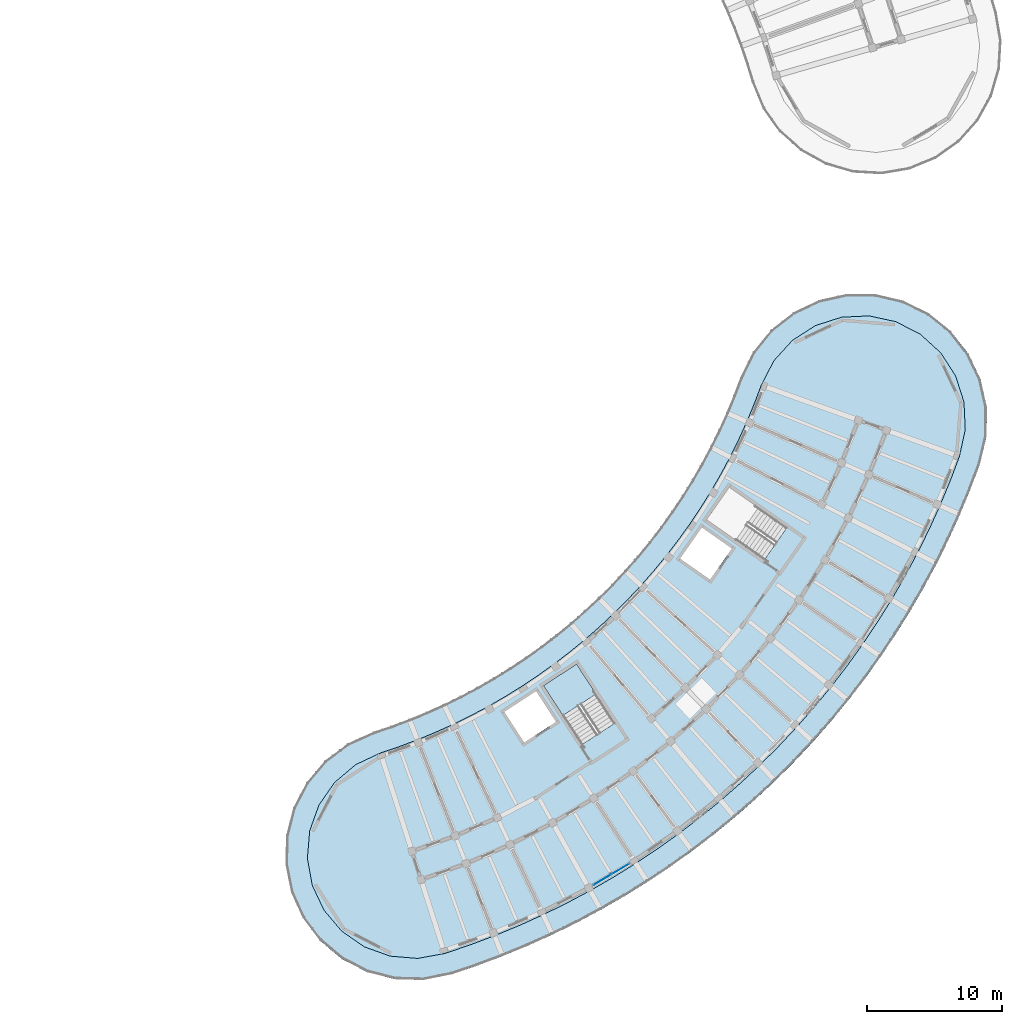
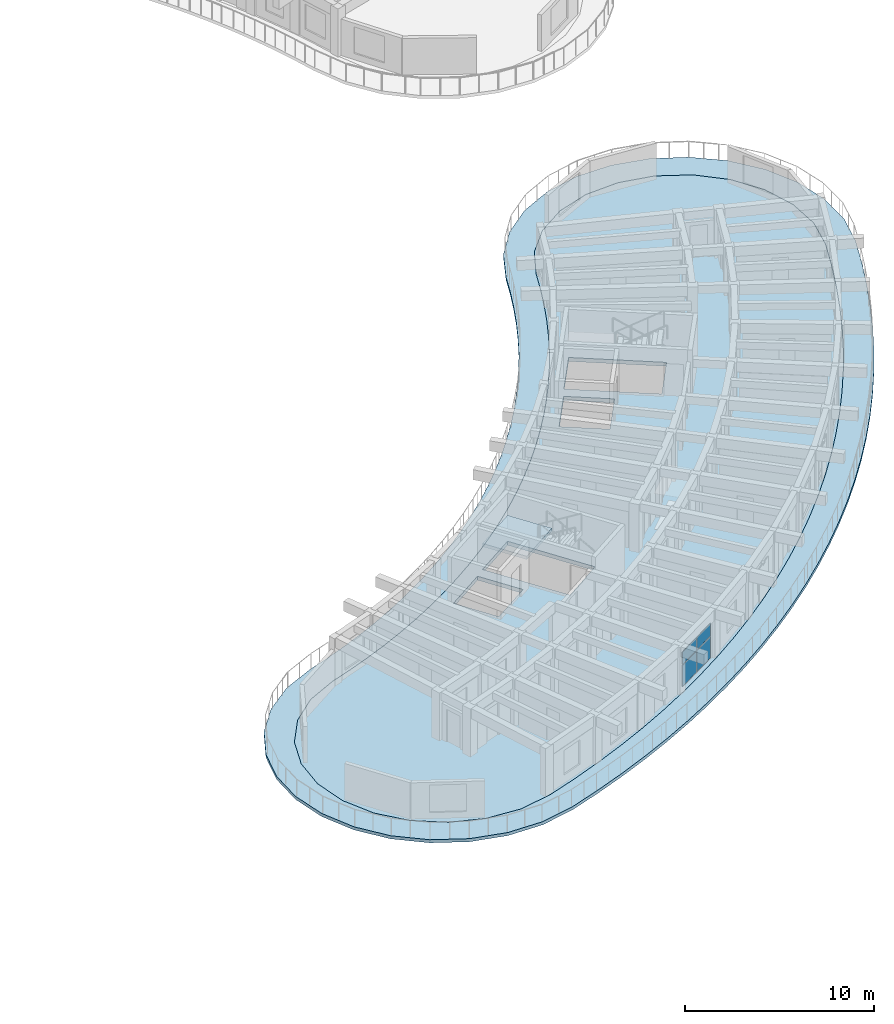
# One storey, part 33 of 78: 4 plates, 3 slabs, 2 elements without a shape of their own.
"""IFC4 building model written with IfcOpenShell, lengths in metres."""

import ifcopenshell
import ifcopenshell.guid

model = None  # the IFC model being written
_history = None  # IfcOwnerHistory: only IFC2X3 demands one
_inside = {}  # id of a spatial element -> (the spatial element, [elements in it])
_under = {}  # id of a project, library or spatial element -> (it, [spatial elements below it])
_declared = {}  # id of a project -> (the project, [libraries it declares])
_typed = {}  # id of a type object -> (the type object, [elements of that type])
_made_of = {}  # id of a material, layer set ... -> (it, [elements and type objects made of it])


def new_model(schema):
    """Start an empty IFC model of exactly this schema.

    Asked for "IFC4X3", IfcOpenShell would pick the latest addendum, in which some entities
    have other attributes; the version numbers below select the first issue.
    IFC2X3 requires an IfcOwnerHistory on every rooted entity: one is made here for all.
    """
    global model, _history
    if schema == "IFC4X3":
        model = ifcopenshell.file(schema_version=(4, 3, 0, 0))
    else:
        model = ifcopenshell.file(schema=schema)
    _inside.clear()
    _under.clear()
    _declared.clear()
    _typed.clear()
    _made_of.clear()
    _history = None
    if model.schema == "IFC2X3":
        org = make("IfcOrganization", Name="unknown")
        user = make(
            "IfcPersonAndOrganization",
            ThePerson=make("IfcPerson", FamilyName="unknown"),
            TheOrganization=org,
        )
        app = make(
            "IfcApplication",
            ApplicationDeveloper=org,
            Version="unknown",
            ApplicationFullName="unknown",
            ApplicationIdentifier="unknown",
        )
        _history = make(
            "IfcOwnerHistory",
            OwningUser=user,
            OwningApplication=app,
            ChangeAction="ADDED",
            CreationDate=0,
        )
    return model


def make(cls, **values):
    """One entity of the class cls with the attributes given. An attribute that is None is left unset."""
    return model.create_entity(
        cls, **{name: value for name, value in values.items() if value is not None}
    )


def rooted(cls, **values):
    """An entity with a GlobalId (a new one), such as an element, a storey or a relation."""
    return make(cls, GlobalId=ifcopenshell.guid.new(), OwnerHistory=_history, **values)


def si_unit(unit_type, name, prefix=None):
    """IfcSIUnit, for example si_unit("LENGTHUNIT", "METRE", prefix="MILLI")."""
    return make("IfcSIUnit", UnitType=unit_type, Prefix=prefix, Name=name)


def assignment(units):
    """IfcUnitAssignment: the units of a project."""
    return None if units is None else make("IfcUnitAssignment", Units=units)


def point(xyz):
    """IfcCartesianPoint."""
    return None if xyz is None else make("IfcCartesianPoint", Coordinates=xyz)


def direction(xyz):
    """IfcDirection."""
    return None if xyz is None else make("IfcDirection", DirectionRatios=xyz)


def frame(location, z_axis=None, x_axis=None):
    """IfcAxis2Placement3D, a coordinate frame: its origin and axes. An axis left out is left unset."""
    return make(
        "IfcAxis2Placement3D",
        Location=point(location),
        Axis=direction(z_axis),
        RefDirection=direction(x_axis),
    )


def frame_2d(location, x_axis=None):
    """IfcAxis2Placement2D, a coordinate frame in the plane: its origin and x axis."""
    return make(
        "IfcAxis2Placement2D", Location=point(location), RefDirection=direction(x_axis)
    )


def origin():
    """The frame at (0, 0, 0) with its axes left unset."""
    return frame((0.0, 0.0, 0.0))


def origin_2d():
    """The frame at (0, 0) in the plane with its x axis left unset."""
    return frame_2d((0.0, 0.0))


def place(relative_to, where):
    """IfcLocalPlacement: puts the frame where relative to a parent placement (None: the world)."""
    return make(
        "IfcLocalPlacement", PlacementRelTo=relative_to, RelativePlacement=where
    )


def context(
    kind, dimensions, precision=None, world=None, true_north=None, identifier=None
):
    """IfcGeometricRepresentationContext, for example the 3D "Model" context."""
    return make(
        "IfcGeometricRepresentationContext",
        ContextIdentifier=identifier,
        ContextType=kind,
        CoordinateSpaceDimension=dimensions,
        Precision=precision,
        WorldCoordinateSystem=world,
        TrueNorth=true_north,
    )


def subcontext(parent, identifier, kind, view, scale=None):
    """IfcGeometricRepresentationSubContext, for example "Body" below "Model"."""
    return make(
        "IfcGeometricRepresentationSubContext",
        ContextIdentifier=identifier,
        ContextType=kind,
        ParentContext=parent,
        TargetScale=scale,
        TargetView=view,
    )


def project(units=None, contexts=None):
    """IfcProject with its units and contexts."""
    return rooted(
        "IfcProject",
        Name="project",
        RepresentationContexts=contexts,
        UnitsInContext=assignment(units),
    )


def spatial(cls, under=None, at=None, **own):
    """A site, building, storey or space (cls), placed at a placement, below another one or the project."""
    s = rooted(cls, ObjectPlacement=at, **own)
    if under is not None:
        _under.setdefault(under.id(), (under, []))[1].append(s)
    return s


def polyline(points):
    """IfcPolyline through the points."""
    return make("IfcPolyline", Points=[point(p) for p in points])


def profile(cls, at=None, kind="AREA", **sizes):
    """A parametric profile (cls). Its sizes go by their IFC names, for example OverallWidth=200.0."""
    return make(cls, ProfileType=kind, Position=at, **sizes)


def rectangle(**sizes):
    """IfcRectangleProfileDef."""
    return profile("IfcRectangleProfileDef", **sizes)


def outline(outer, holes=None, kind="AREA"):
    """IfcArbitraryClosedProfileDef: a profile drawn as a closed curve; with holes, ...WithVoids."""
    if holes is None:
        return make("IfcArbitraryClosedProfileDef", ProfileType=kind, OuterCurve=outer)
    return make(
        "IfcArbitraryProfileDefWithVoids",
        ProfileType=kind,
        OuterCurve=outer,
        InnerCurves=holes,
    )


def extrude(swept, where, along, depth):
    """IfcExtrudedAreaSolid: the profile swept, set in the frame where, extruded along a direction by depth."""
    return make(
        "IfcExtrudedAreaSolid",
        SweptArea=swept,
        Position=where,
        ExtrudedDirection=direction(along),
        Depth=depth,
    )


def shape(context_of_items, identifier, shape_type, items):
    """IfcShapeRepresentation: the items that make up one representation, for example the "Body"."""
    return make(
        "IfcShapeRepresentation",
        ContextOfItems=context_of_items,
        RepresentationIdentifier=identifier,
        RepresentationType=shape_type,
        Items=items,
    )


def material(Name=None, Category=None):
    """IfcMaterial."""
    return make("IfcMaterial", Name=Name, Category=Category)


def layer(
    of_material, thickness, ventilated=None, Name=None, Category=None, Priority=None
):
    """IfcMaterialLayer: one layer of a wall or slab, of a material (None: an air gap)."""
    return make(
        "IfcMaterialLayer",
        Material=of_material,
        LayerThickness=thickness,
        IsVentilated=ventilated,
        Name=Name,
        Category=Category,
        Priority=Priority,
    )


def layer_set(layers, Name=None):
    """IfcMaterialLayerSet."""
    return make("IfcMaterialLayerSet", MaterialLayers=layers, LayerSetName=Name)


def made_of(thing, what):
    """Note that an element or type object is made of a material, layer set ...; save() writes the relation."""
    if what is not None:
        _made_of.setdefault(what.id(), (what, []))[1].append(thing)
    return thing


def type_object(cls, material=None, **own):
    """A type object (cls), such as IfcWallType, which elements share."""
    return made_of(rooted(cls, **own), material)


def element(
    cls,
    number,
    at=None,
    inside=None,
    cuts=None,
    type_object=None,
    material=None,
    context=None,
    identifier="Body",
    shape_type=None,
    held_by="IfcProductDefinitionShape",
    body=None,
    shapes=None,
    **own,
):
    """One element of the class cls, such as IfcWall. Its Tag is "e" and its number.

    at: its placement. inside: the storey or other place that contains it. cuts: it is an
    opening in that element (IfcRelVoidsElement). A single representation is given by context,
    identifier, shape_type and body (its items); several are given by shapes. held_by: the class
    of the entity that holds the representations. save() writes the other relations.
    """
    e = rooted(cls, Tag="e%d" % number, ObjectPlacement=at, **own)
    if body is not None:
        shapes = [shape(context, identifier, shape_type, body)]
    if shapes is not None:
        e.Representation = make(held_by, Representations=shapes)
    if inside is not None:
        _inside.setdefault(inside.id(), (inside, []))[1].append(e)
    if cuts is not None:
        rooted(
            "IfcRelVoidsElement", RelatingBuildingElement=cuts, RelatedOpeningElement=e
        )
    if type_object is not None:
        _typed.setdefault(type_object.id(), (type_object, []))[1].append(e)
    return made_of(e, material)


def aggregate(whole, parts):
    """IfcRelAggregates: a whole, such as a stair, and the parts it consists of."""
    return rooted("IfcRelAggregates", RelatingObject=whole, RelatedObjects=parts)


def save(model, path):
    """Write the relations noted so far, then the file.

    IfcRelAggregates (storeys below a building ...), IfcRelContainedInSpatialStructure (elements
    in a storey), IfcRelDefinesByType, IfcRelAssociatesMaterial and IfcRelDeclares: one each for
    every whole, place, type object, material and project.
    """
    for whole, parts in _under.values():
        aggregate(whole, parts)
    for where, things in _inside.values():
        rooted(
            "IfcRelContainedInSpatialStructure",
            RelatedElements=things,
            RelatingStructure=where,
        )
    for kind, things in _typed.values():
        rooted("IfcRelDefinesByType", RelatedObjects=things, RelatingType=kind)
    for what, things in _made_of.values():
        rooted("IfcRelAssociatesMaterial", RelatedObjects=things, RelatingMaterial=what)
    for by, libraries in _declared.values():
        rooted("IfcRelDeclares", RelatingContext=by, RelatedDefinitions=libraries)
    model.write(path)


model = new_model("IFC4")

# Units and contexts
model_context = context("Model", 3, precision=1e-05, world=origin(), true_north=direction((0.0, 1.0)))
body_context = subcontext(model_context, "Body", "Model", "MODEL_VIEW")
ifc_project = project(units=[si_unit("LENGTHUNIT", "METRE"), si_unit("AREAUNIT", "SQUARE_METRE"), si_unit("VOLUMEUNIT", "CUBIC_METRE"), si_unit("PLANEANGLEUNIT", "RADIAN"), si_unit("MASSUNIT", "GRAM", prefix="KILO")], contexts=[model_context])

# Site, building, storey
site_placement = place(None, origin())
site = spatial("IfcSite", under=ifc_project, at=site_placement, CompositionType="ELEMENT")
building_placement = place(site_placement, origin())
building = spatial("IfcBuilding", under=site, at=building_placement, Name="Tanwirah Colonnade Gardens", CompositionType="ELEMENT")
storey_placement = place(building_placement, frame((0.0, 0.0, 22.280029296875)))
storey = spatial("IfcBuildingStorey", under=building, at=storey_placement, Name="L06", CompositionType="ELEMENT", Elevation=22.280029296875)

# Curtain wall, plates
ifc_material_1 = material(Name="Bronze-anodised aluminium and solar-control low-E glass", Category="aluminium")
curtain_wall_type = type_object("IfcCurtainWallType", Name="CW-LOB", PredefinedType="NOTDEFINED", material=ifc_material_1)
curtain_wall_placement = place(storey_placement, origin())
curtain_wall = element("IfcCurtainWall", 1, at=curtain_wall_placement, inside=storey, type_object=curtain_wall_type, Name="Curtain Wall CW-D-L06-OUT-04", PredefinedType="NOTDEFINED")
ifc_material_2 = material(Name="Solar-control low-E double glazing", Category="glass")
ifc_layer_1 = layer(ifc_material_2, 0.028076171875)
ifc_layer_set_1 = layer_set([ifc_layer_1], Name="Solar-control low-E double glazing")
plate_type = type_object("IfcPlateType", Name="CWP-GLZ28", PredefinedType="CURTAIN_PANEL", material=ifc_layer_set_1)
plate_1_placement = place(storey_placement, frame((150.8740234375, 13.016357421875, 0.06005859375), z_axis=(0.0, 0.0, 1.0), x_axis=(0.858289025142, 0.513166590222, 0.0)))
plate_1 = element("IfcPlate", 2, at=plate_1_placement, type_object=plate_type, Name="CW-LOB panel 1.1", PredefinedType="CURTAIN_PANEL", context=body_context, shape_type="SweptSolid", body=[
    extrude(rectangle(XDim=1.49853515625, YDim=0.028076171875, at=origin_2d()), origin(), (0.0, 0.0, 1.0), 1.3701171875),
])
plate_2_placement = place(storey_placement, frame((150.8740234375, 13.016357421875, 1.490234375), z_axis=(0.0, 0.0, 1.0), x_axis=(0.858289025142, 0.513166590222, 0.0)))
plate_2 = element("IfcPlate", 3, at=plate_2_placement, type_object=plate_type, Name="CW-LOB panel 1.2", PredefinedType="CURTAIN_PANEL", context=body_context, shape_type="SweptSolid", body=[
    extrude(rectangle(XDim=1.49853515625, YDim=0.028076171875, at=origin_2d()), origin(), (0.0, 0.0, 1.0), 0.804931640625),
])
plate_3_placement = place(storey_placement, frame((152.21142578125, 13.816162109375, 0.06005859375), z_axis=(0.0, 0.0, 1.0), x_axis=(0.858289025142, 0.513166590222, 0.0)))
plate_3 = element("IfcPlate", 4, at=plate_3_placement, type_object=plate_type, Name="CW-LOB panel 2.1", PredefinedType="CURTAIN_PANEL", context=body_context, shape_type="SweptSolid", body=[
    extrude(rectangle(XDim=1.49853515625, YDim=0.028076171875, at=origin_2d()), origin(), (0.0, 0.0, 1.0), 1.3701171875),
])
plate_4_placement = place(storey_placement, frame((152.21142578125, 13.816162109375, 1.490234375), z_axis=(0.0, 0.0, 1.0), x_axis=(0.858289025142, 0.513166590222, 0.0)))
plate_4 = element("IfcPlate", 5, at=plate_4_placement, type_object=plate_type, Name="CW-LOB panel 2.2", PredefinedType="CURTAIN_PANEL", context=body_context, shape_type="SweptSolid", body=[
    extrude(rectangle(XDim=1.49853515625, YDim=0.028076171875, at=origin_2d()), origin(), (0.0, 0.0, 1.0), 0.804931640625),
])
aggregate(curtain_wall, [plate_1, plate_2, plate_3, plate_4])

# Slab
ifc_material_3 = material(Name="White architectural precast concrete C40/50", Category="concrete")
ifc_layer_2 = layer(ifc_material_3, 0.199951171875)
ifc_layer_set_2 = layer_set([ifc_layer_2], Name="White architectural precast concrete C40/50")
slab_type_1 = type_object("IfcSlabType", Name="SL-BAL-200", PredefinedType="FLOOR", material=ifc_layer_set_2)
slab_1_placement = place(storey_placement, frame((0.0, 0.0, -0.199951171875)))
element("IfcSlab", 6, at=slab_1_placement, inside=storey, type_object=slab_type_1, Name="Block D L06 Continuous White Balcony Ribbon", PredefinedType="FLOOR", context=body_context, shape_type="SweptSolid", body=[
    extrude(outline(polyline([(132.06689453125, 23.06591796875), (130.38671875, 21.7978515625), (129.030517578125, 20.18798828125), (128.06689453125, 18.316650390625), (127.543701171875, 16.27783203125), (127.4873046875, 14.173583984375), (127.900390625, 12.109619140625), (128.762451171875, 10.189453125), (130.0302734375, 8.509033203125), (131.640380859375, 7.153076171875), (133.51171875, 6.189208984375), (135.550537109375, 5.666015625), (137.65478515625, 5.609619140625), (139.71875, 6.02294921875), (141.6220703125, 6.666748046875), (143.503173828125, 7.372314453125), (145.3603515625, 8.13916015625), (147.19140625, 8.966552734375), (148.994384765625, 9.85302734375), (150.767333984375, 10.79833984375), (152.508544921875, 11.801025390625), (154.2158203125, 12.860107421875), (155.8876953125, 13.974609375), (157.522216796875, 15.143310546875), (159.117431640625, 16.364501953125), (160.672119140625, 17.637451171875), (162.18408203125, 18.960693359375), (163.652099609375, 20.33251953125), (165.07421875, 21.751708984375), (166.449462890625, 23.216796875), (167.77587890625, 24.725830078125), (169.05224609375, 26.277587890625), (170.277099609375, 27.870361328125), (171.44921875, 29.502197265625), (172.567138671875, 31.171630859375), (173.630126953125, 32.876708984375), (174.636474609375, 34.61572265625), (175.585693359375, 36.386474609375), (176.476318359375, 38.1875), (177.307373046875, 40.016845703125), (178.078369140625, 41.872314453125), (178.7880859375, 43.751953125), (179.273193359375, 45.80029296875), (179.290283203125, 47.905029296875), (178.838623046875, 49.9609375), (177.940673828125, 51.86474609375), (176.6416015625, 53.52099609375), (175.006591796875, 54.8466796875), (173.11767578125, 55.775390625), (171.0693359375, 56.260498046875), (168.96435546875, 56.27734375), (166.908447265625, 55.82568359375), (165.004638671875, 54.927734375), (163.348388671875, 53.628662109375), (162.022705078125, 51.99365234375), (161.093994140625, 50.104736328125), (160.6015625, 48.800537109375), (160.066650390625, 47.51318359375), (159.489990234375, 46.244140625), (158.8720703125, 44.99462890625), (158.213623046875, 43.765869140625), (157.515380859375, 42.559326171875), (156.77783203125, 41.37646484375), (156.002197265625, 40.218017578125), (155.18896484375, 39.0859375), (154.339111328125, 37.98095703125), (153.45361328125, 36.904296875), (152.533203125, 35.857177734375), (151.579345703125, 34.8408203125), (150.592529296875, 33.856201171875), (149.573974609375, 32.904296875), (148.52490234375, 31.986328125), (147.4462890625, 31.10302734375), (146.33935546875, 30.255615234375), (145.205322265625, 29.445068359375), (144.04541015625, 28.671630859375), (142.86083984375, 27.93701171875), (141.65283203125, 27.2412109375), (140.4228515625, 26.58544921875), (139.171875, 25.97021484375), (137.9013671875, 25.396240234375), (136.613037109375, 24.8642578125), (135.307861328125, 24.37451171875), (133.9873046875, 23.927978515625), (132.06689453125, 23.06591796875)]), holes=[polyline([(132.644287109375, 21.5185546875), (134.482421875, 22.385498046875), (135.8515625, 22.8486328125), (135.85205078125, 22.848876953125), (137.206298828125, 23.35693359375), (137.20703125, 23.357177734375), (138.5439453125, 23.9091796875), (138.54443359375, 23.909423828125), (139.862548828125, 24.5048828125), (139.86328125, 24.505126953125), (141.1611328125, 25.1435546875), (141.16162109375, 25.143798828125), (142.43798828125, 25.82421875), (142.4384765625, 25.824462890625), (143.69189453125, 26.54638671875), (143.692626953125, 26.546630859375), (144.921630859375, 27.30908203125), (144.922119140625, 27.309326171875), (146.125732421875, 28.111572265625), (146.126220703125, 28.112060546875), (147.302734375, 28.953369140625), (147.30322265625, 28.95361328125), (148.45166015625, 29.8330078125), (148.452392578125, 29.833251953125), (149.5712890625, 30.749755859375), (149.57177734375, 30.75), (150.660400390625, 31.70263671875), (150.660888671875, 31.702880859375), (151.717529296875, 32.690673828125), (151.718017578125, 32.69091796875), (152.741943359375, 33.712646484375), (152.742431640625, 33.713134765625), (153.732177734375, 34.767578125), (153.732666015625, 34.76806640625), (154.6875, 35.8544921875), (154.68798828125, 35.85498046875), (155.606689453125, 36.97216796875), (155.607177734375, 36.97265625), (156.48876953125, 38.119140625), (156.4892578125, 38.11962890625), (157.3330078125, 39.29443359375), (157.33349609375, 39.294921875), (158.13818359375, 40.496826171875), (158.138671875, 40.497314453125), (158.90380859375, 41.724853515625), (158.904052734375, 41.725341796875), (159.628662109375, 42.97705078125), (159.62890625, 42.977783203125), (160.312255859375, 44.25244140625), (160.3125, 44.253173828125), (160.95361328125, 45.549560546875), (160.953857421875, 45.55029296875), (161.55224609375, 46.866943359375), (161.552490234375, 46.86767578125), (162.107421875, 48.203369140625), (162.107666015625, 48.203857421875), (162.6181640625, 49.555908203125), (163.548828125, 51.36279296875), (164.914306640625, 52.8662109375), (166.62255859375, 53.96484375), (168.556884765625, 54.583984375), (170.58544921875, 54.681396484375), (172.570068359375, 54.25048828125), (174.375732421875, 53.320556640625), (175.87890625, 51.955078125), (176.9775390625, 50.2470703125), (177.596923828125, 48.312744140625), (177.6943359375, 46.2841796875), (177.26318359375, 44.29833984375), (176.572509765625, 42.46923828125), (175.82177734375, 40.662841796875), (175.012451171875, 38.8818359375), (174.1455078125, 37.12841796875), (173.221435546875, 35.404052734375), (172.241455078125, 33.7109375), (171.20654296875, 32.051025390625), (170.1181640625, 30.425537109375), (168.976806640625, 28.836669921875), (167.784423828125, 27.2861328125), (166.541748046875, 25.775146484375), (165.250244140625, 24.305908203125), (163.911376953125, 22.879638671875), (162.526611328125, 21.497802734375), (161.097412109375, 20.162109375), (159.625244140625, 18.8740234375), (158.11181640625, 17.634521484375), (156.55859375, 16.445556640625), (154.96728515625, 15.3076171875), (153.33935546875, 14.22265625), (151.677001953125, 13.19140625), (149.98193359375, 12.21533203125), (148.255615234375, 11.294921875), (146.500244140625, 10.431640625), (144.717529296875, 9.626220703125), (142.909423828125, 8.879638671875), (141.077880859375, 8.192626953125), (139.225830078125, 7.566162109375), (137.226318359375, 7.20458984375), (135.2021484375, 7.372802734375), (133.290771484375, 8.05908203125), (131.6220703125, 9.216552734375), (130.309814453125, 10.766845703125), (129.443359375, 12.603515625), (129.08203125, 14.60205078125), (129.250244140625, 16.626220703125), (129.9365234375, 18.53759765625), (131.09423828125, 20.206298828125), (132.644287109375, 21.5185546875)])]), origin(), (0.0, 0.0, 1.0), 0.199951171875),
])

# Stair, slab
ifc_material_4 = material(Name="Precast concrete C40/50", Category="concrete")
stair_type = type_object("IfcStairType", Name="ST-RES168", PredefinedType="HALF_TURN_STAIR", material=ifc_material_4)
stair_placement = place(storey_placement, origin())
stair = element("IfcStair", 7, at=stair_placement, inside=storey, type_object=stair_type, Name="L06 Block D Core 1 Exit Stair", PredefinedType="HALF_TURN_STAIR")
ifc_layer_3 = layer(ifc_material_4, 0.205078125)
ifc_layer_set_3 = layer_set([ifc_layer_3], Name="Precast concrete C40/50")
slab_type_2 = type_object("IfcSlabType", Name="SL-LND-205", PredefinedType="LANDING", material=ifc_layer_set_3)
slab_2_placement = place(storey_placement, frame((0.0, 0.0, 1.474853515625)))
slab_2 = element("IfcSlab", 8, at=slab_2_placement, type_object=slab_type_2, Name="ST-D1 landing 1", PredefinedType="LANDING", context=body_context, shape_type="SweptSolid", body=[
    extrude(outline(polyline([(150.40966796875, 26.740966796875), (148.974609375, 28.950927734375), (146.525634765625, 27.360595703125), (147.960693359375, 25.150634765625), (150.40966796875, 26.740966796875)])), origin(), (0.0, 0.0, 1.0), 0.205078125),
])
aggregate(stair, [slab_2])

# Slab
ifc_layer_4 = layer(ifc_material_4, 0.25)
ifc_layer_set_4 = layer_set([ifc_layer_4], Name="Precast concrete C40/50")
slab_type_3 = type_object("IfcSlabType", Name="SL-RES-250", PredefinedType="FLOOR", material=ifc_layer_set_4)
slab_3_placement = place(storey_placement, frame((0.0, 0.0, -0.25)))
element("IfcSlab", 9, at=slab_3_placement, inside=storey, type_object=slab_type_3, Name="Block D L06 Precast Composite Floor Slab", PredefinedType="FLOOR", context=body_context, shape_type="SweptSolid", body=[
    extrude(outline(polyline([(137.199462890625, 23.37548828125), (135.84521484375, 22.867431640625), (134.47509765625, 22.404052734375), (132.63330078125, 21.535400390625), (131.079345703125, 20.219970703125), (129.918701171875, 18.546875), (129.23046875, 16.63037109375), (129.06201171875, 14.60107421875), (129.42431640625, 12.597412109375), (130.292724609375, 10.755859375), (131.6083984375, 9.20166015625), (133.281494140625, 8.041015625), (135.197998046875, 7.35302734375), (137.227294921875, 7.184326171875), (139.23095703125, 7.546630859375), (141.08447265625, 8.173828125), (142.916748046875, 8.861083984375), (144.7255859375, 9.60791015625), (146.5087890625, 10.41357421875), (148.264892578125, 11.277099609375), (149.99169921875, 12.19775390625), (151.687255859375, 13.17431640625), (153.350341796875, 14.205810546875), (154.978515625, 15.291259765625), (156.5703125, 16.429443359375), (158.124267578125, 17.618896484375), (159.63818359375, 18.858642578125), (161.11083984375, 20.1474609375), (162.54052734375, 21.4833984375), (163.92578125, 22.86572265625), (165.26513671875, 24.29248046875), (166.556884765625, 25.76220703125), (167.800048828125, 27.273681640625), (168.992919921875, 28.82470703125), (170.134521484375, 30.414306640625), (171.223388671875, 32.0400390625), (172.258544921875, 33.70068359375), (173.23876953125, 35.394287109375), (174.163330078125, 37.119140625), (175.030517578125, 38.873291015625), (175.840087890625, 40.65478515625), (176.591064453125, 42.4619140625), (177.2822265625, 44.29248046875), (177.71435546875, 46.282470703125), (177.61669921875, 48.31640625), (176.995849609375, 50.255615234375), (175.894287109375, 51.968017578125), (174.38720703125, 53.337158203125), (172.576904296875, 54.26953125), (170.587158203125, 54.70166015625), (168.55322265625, 54.603759765625), (166.614013671875, 53.983154296875), (164.9013671875, 52.881591796875), (163.5322265625, 51.374267578125), (162.60009765625, 49.56396484375), (162.089111328125, 48.2109375), (161.533935546875, 46.875244140625), (160.935791015625, 45.55859375), (160.294677734375, 44.261962890625), (159.611328125, 42.987060546875), (158.88671875, 41.7353515625), (158.12158203125, 40.5078125), (157.31689453125, 39.30615234375), (156.47314453125, 38.13134765625), (155.59130859375, 36.98486328125), (154.672607421875, 35.86767578125), (153.717529296875, 34.781494140625), (152.727783203125, 33.726806640625), (151.703857421875, 32.705078125), (150.647216796875, 31.717529296875), (149.55859375, 30.76513671875), (148.439697265625, 29.848876953125), (147.291259765625, 28.969482421875), (146.114501953125, 28.12841796875), (144.9111328125, 27.326171875), (143.681884765625, 26.563720703125), (142.428466796875, 25.841796875), (141.15234375, 25.161376953125), (139.854248046875, 24.523193359375), (138.5361328125, 23.927490234375), (137.199462890625, 23.37548828125)]), holes=[polyline([(149.358642578125, 23.003662109375), (146.528076171875, 27.3623046875), (148.971923828125, 28.94921875), (151.802490234375, 24.5908203125), (149.358642578125, 23.003662109375)]), polyline([(143.63427734375, 25.42333984375), (145.982666015625, 26.9482421875), (147.453125, 24.683837890625), (145.104736328125, 23.158935546875), (143.63427734375, 25.42333984375)]), polyline([(160.252685546875, 42.016357421875), (164.509765625, 39.03564453125), (162.83837890625, 36.648681640625), (158.581298828125, 39.62939453125), (160.252685546875, 42.016357421875)]), polyline([(160.442138671875, 37.49267578125), (158.836181640625, 35.198974609375), (156.62451171875, 36.74755859375), (158.23046875, 39.041259765625), (160.442138671875, 37.49267578125)])]), origin(), (0.0, 0.0, 1.0), 0.25),
])

save(model, "model.ifc")
